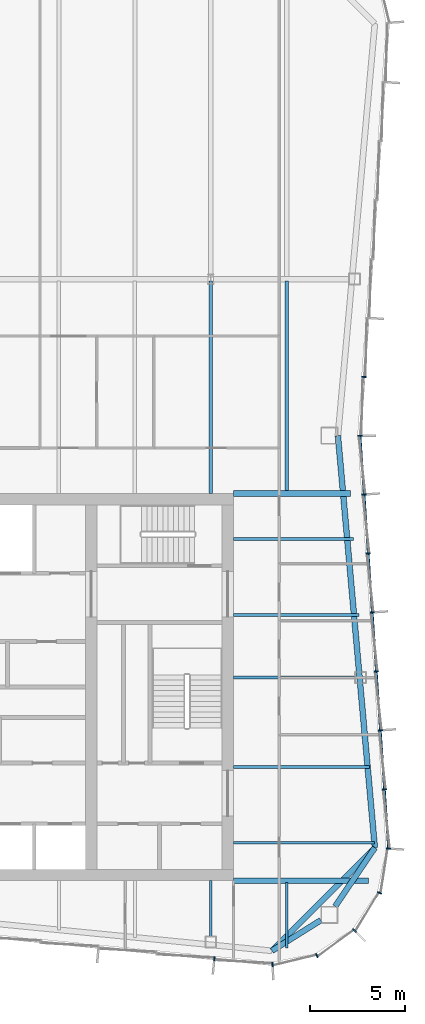
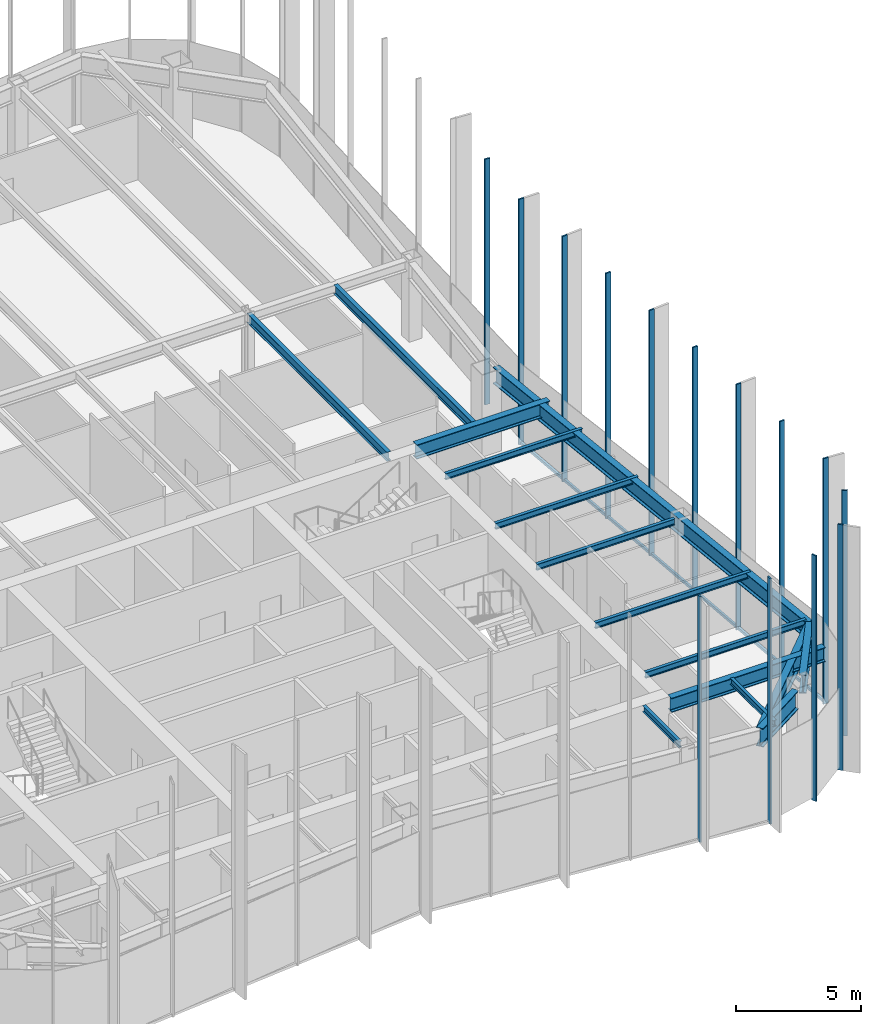
# One storey, part 5 of 13: 15 beams, 15 members, 3 elements without a shape of their own.
"""IFC4 building model written with IfcOpenShell, lengths in metres."""

import ifcopenshell
import ifcopenshell.guid

model = None  # the IFC model being written
_history = None  # IfcOwnerHistory: only IFC2X3 demands one
_inside = {}  # id of a spatial element -> (the spatial element, [elements in it])
_under = {}  # id of a project, library or spatial element -> (it, [spatial elements below it])
_declared = {}  # id of a project -> (the project, [libraries it declares])
_typed = {}  # id of a type object -> (the type object, [elements of that type])
_made_of = {}  # id of a material, layer set ... -> (it, [elements and type objects made of it])


def new_model(schema):
    """Start an empty IFC model of exactly this schema.

    Asked for "IFC4X3", IfcOpenShell would pick the latest addendum, in which some entities
    have other attributes; the version numbers below select the first issue.
    IFC2X3 requires an IfcOwnerHistory on every rooted entity: one is made here for all.
    """
    global model, _history
    if schema == "IFC4X3":
        model = ifcopenshell.file(schema_version=(4, 3, 0, 0))
    else:
        model = ifcopenshell.file(schema=schema)
    _inside.clear()
    _under.clear()
    _declared.clear()
    _typed.clear()
    _made_of.clear()
    _history = None
    if model.schema == "IFC2X3":
        org = make("IfcOrganization", Name="unknown")
        user = make(
            "IfcPersonAndOrganization",
            ThePerson=make("IfcPerson", FamilyName="unknown"),
            TheOrganization=org,
        )
        app = make(
            "IfcApplication",
            ApplicationDeveloper=org,
            Version="unknown",
            ApplicationFullName="unknown",
            ApplicationIdentifier="unknown",
        )
        _history = make(
            "IfcOwnerHistory",
            OwningUser=user,
            OwningApplication=app,
            ChangeAction="ADDED",
            CreationDate=0,
        )
    return model


def make(cls, **values):
    """One entity of the class cls with the attributes given. An attribute that is None is left unset."""
    return model.create_entity(
        cls, **{name: value for name, value in values.items() if value is not None}
    )


def rooted(cls, **values):
    """An entity with a GlobalId (a new one), such as an element, a storey or a relation."""
    return make(cls, GlobalId=ifcopenshell.guid.new(), OwnerHistory=_history, **values)


def si_unit(unit_type, name, prefix=None):
    """IfcSIUnit, for example si_unit("LENGTHUNIT", "METRE", prefix="MILLI")."""
    return make("IfcSIUnit", UnitType=unit_type, Prefix=prefix, Name=name)


def assignment(units):
    """IfcUnitAssignment: the units of a project."""
    return None if units is None else make("IfcUnitAssignment", Units=units)


def point(xyz):
    """IfcCartesianPoint."""
    return None if xyz is None else make("IfcCartesianPoint", Coordinates=xyz)


def direction(xyz):
    """IfcDirection."""
    return None if xyz is None else make("IfcDirection", DirectionRatios=xyz)


def frame(location, z_axis=None, x_axis=None):
    """IfcAxis2Placement3D, a coordinate frame: its origin and axes. An axis left out is left unset."""
    return make(
        "IfcAxis2Placement3D",
        Location=point(location),
        Axis=direction(z_axis),
        RefDirection=direction(x_axis),
    )


def frame_2d(location, x_axis=None):
    """IfcAxis2Placement2D, a coordinate frame in the plane: its origin and x axis."""
    return make(
        "IfcAxis2Placement2D", Location=point(location), RefDirection=direction(x_axis)
    )


def origin():
    """The frame at (0, 0, 0) with its axes left unset."""
    return frame((0.0, 0.0, 0.0))


def origin_2d():
    """The frame at (0, 0) in the plane with its x axis left unset."""
    return frame_2d((0.0, 0.0))


def place(relative_to, where):
    """IfcLocalPlacement: puts the frame where relative to a parent placement (None: the world)."""
    return make(
        "IfcLocalPlacement", PlacementRelTo=relative_to, RelativePlacement=where
    )


def context(
    kind, dimensions, precision=None, world=None, true_north=None, identifier=None
):
    """IfcGeometricRepresentationContext, for example the 3D "Model" context."""
    return make(
        "IfcGeometricRepresentationContext",
        ContextIdentifier=identifier,
        ContextType=kind,
        CoordinateSpaceDimension=dimensions,
        Precision=precision,
        WorldCoordinateSystem=world,
        TrueNorth=true_north,
    )


def subcontext(parent, identifier, kind, view, scale=None):
    """IfcGeometricRepresentationSubContext, for example "Body" below "Model"."""
    return make(
        "IfcGeometricRepresentationSubContext",
        ContextIdentifier=identifier,
        ContextType=kind,
        ParentContext=parent,
        TargetScale=scale,
        TargetView=view,
    )


def project(units=None, contexts=None):
    """IfcProject with its units and contexts."""
    return rooted(
        "IfcProject",
        Name="project",
        RepresentationContexts=contexts,
        UnitsInContext=assignment(units),
    )


def spatial(cls, under=None, at=None, **own):
    """A site, building, storey or space (cls), placed at a placement, below another one or the project."""
    s = rooted(cls, ObjectPlacement=at, **own)
    if under is not None:
        _under.setdefault(under.id(), (under, []))[1].append(s)
    return s


def profile(cls, at=None, kind="AREA", **sizes):
    """A parametric profile (cls). Its sizes go by their IFC names, for example OverallWidth=200.0."""
    return make(cls, ProfileType=kind, Position=at, **sizes)


def rectangle(**sizes):
    """IfcRectangleProfileDef."""
    return profile("IfcRectangleProfileDef", **sizes)


def i_section(**sizes):
    """IfcIShapeProfileDef."""
    return profile("IfcIShapeProfileDef", **sizes)


def extrude(swept, where, along, depth):
    """IfcExtrudedAreaSolid: the profile swept, set in the frame where, extruded along a direction by depth."""
    return make(
        "IfcExtrudedAreaSolid",
        SweptArea=swept,
        Position=where,
        ExtrudedDirection=direction(along),
        Depth=depth,
    )


def shape(context_of_items, identifier, shape_type, items):
    """IfcShapeRepresentation: the items that make up one representation, for example the "Body"."""
    return make(
        "IfcShapeRepresentation",
        ContextOfItems=context_of_items,
        RepresentationIdentifier=identifier,
        RepresentationType=shape_type,
        Items=items,
    )


def material(Name=None, Category=None):
    """IfcMaterial."""
    return make("IfcMaterial", Name=Name, Category=Category)


def material_profile(
    of_material, cross_section, Name=None, Category=None, Priority=None
):
    """IfcMaterialProfile: a cross section and its material."""
    return make(
        "IfcMaterialProfile",
        Name=Name,
        Material=of_material,
        Profile=cross_section,
        Priority=Priority,
        Category=Category,
    )


def profile_set(profiles, Name=None, composite=None):
    """IfcMaterialProfileSet."""
    return make(
        "IfcMaterialProfileSet",
        Name=Name,
        MaterialProfiles=profiles,
        CompositeProfile=composite,
    )


def made_of(thing, what):
    """Note that an element or type object is made of a material, layer set ...; save() writes the relation."""
    if what is not None:
        _made_of.setdefault(what.id(), (what, []))[1].append(thing)
    return thing


def type_object(cls, material=None, **own):
    """A type object (cls), such as IfcWallType, which elements share."""
    return made_of(rooted(cls, **own), material)


def element(
    cls,
    number,
    at=None,
    inside=None,
    cuts=None,
    type_object=None,
    material=None,
    context=None,
    identifier="Body",
    shape_type=None,
    held_by="IfcProductDefinitionShape",
    body=None,
    shapes=None,
    **own,
):
    """One element of the class cls, such as IfcWall. Its Tag is "e" and its number.

    at: its placement. inside: the storey or other place that contains it. cuts: it is an
    opening in that element (IfcRelVoidsElement). A single representation is given by context,
    identifier, shape_type and body (its items); several are given by shapes. held_by: the class
    of the entity that holds the representations. save() writes the other relations.
    """
    e = rooted(cls, Tag="e%d" % number, ObjectPlacement=at, **own)
    if body is not None:
        shapes = [shape(context, identifier, shape_type, body)]
    if shapes is not None:
        e.Representation = make(held_by, Representations=shapes)
    if inside is not None:
        _inside.setdefault(inside.id(), (inside, []))[1].append(e)
    if cuts is not None:
        rooted(
            "IfcRelVoidsElement", RelatingBuildingElement=cuts, RelatedOpeningElement=e
        )
    if type_object is not None:
        _typed.setdefault(type_object.id(), (type_object, []))[1].append(e)
    return made_of(e, material)


def aggregate(whole, parts):
    """IfcRelAggregates: a whole, such as a stair, and the parts it consists of."""
    return rooted("IfcRelAggregates", RelatingObject=whole, RelatedObjects=parts)


def save(model, path):
    """Write the relations noted so far, then the file.

    IfcRelAggregates (storeys below a building ...), IfcRelContainedInSpatialStructure (elements
    in a storey), IfcRelDefinesByType, IfcRelAssociatesMaterial and IfcRelDeclares: one each for
    every whole, place, type object, material and project.
    """
    for whole, parts in _under.values():
        aggregate(whole, parts)
    for where, things in _inside.values():
        rooted(
            "IfcRelContainedInSpatialStructure",
            RelatedElements=things,
            RelatingStructure=where,
        )
    for kind, things in _typed.values():
        rooted("IfcRelDefinesByType", RelatedObjects=things, RelatingType=kind)
    for what, things in _made_of.values():
        rooted("IfcRelAssociatesMaterial", RelatedObjects=things, RelatingMaterial=what)
    for by, libraries in _declared.values():
        rooted("IfcRelDeclares", RelatingContext=by, RelatedDefinitions=libraries)
    model.write(path)


model = new_model("IFC4")

# Units and contexts
model_context = context("Model", 3, precision=1e-05, world=origin(), true_north=direction((0.0, 1.0)))
body_context = subcontext(model_context, "Body", "Model", "MODEL_VIEW")
ifc_project = project(units=[si_unit("LENGTHUNIT", "METRE"), si_unit("AREAUNIT", "SQUARE_METRE"), si_unit("VOLUMEUNIT", "CUBIC_METRE"), si_unit("PLANEANGLEUNIT", "RADIAN"), si_unit("MASSUNIT", "GRAM", prefix="KILO")], contexts=[model_context])

# Site, building, storey
site_placement = place(None, origin())
site = spatial("IfcSite", under=ifc_project, at=site_placement, CompositionType="ELEMENT")
building_placement = place(site_placement, origin())
building = spatial("IfcBuilding", under=site, at=building_placement, Name="Verdant Reach Tower", CompositionType="ELEMENT")
storey_placement = place(building_placement, frame((0.0, 0.0, 294.0)))
storey = spatial("IfcBuildingStorey", under=building, at=storey_placement, Name="L67", CompositionType="ELEMENT", Elevation=294.0)

# Curtain wall, members
ifc_material_1 = material(Name="Anodised aluminium", Category="aluminium")
curtain_wall_type = type_object("IfcCurtainWallType", Name="EN-CW SYSTEM Z5", PredefinedType="NOTDEFINED", material=ifc_material_1)
curtain_wall_1_placement = place(storey_placement, origin())
curtain_wall_1 = element("IfcCurtainWall", 1, at=curtain_wall_1_placement, inside=storey, type_object=curtain_wall_type, Name="Curtain wall south-east corner, L67", PredefinedType="NOTDEFINED")
ifc_material_profile_1 = material_profile(ifc_material_1, rectangle(XDim=0.22998046875, YDim=0.070068359375, at=origin_2d()), Name="Mullion 70x230")
ifc_profile_set_1 = profile_set([ifc_material_profile_1], Name="Anodised aluminium")
member_type_1 = type_object("IfcMemberType", Name="EN-MULLION Z5", PredefinedType="MULLION", material=ifc_profile_set_1)
member_1_placement = place(storey_placement, frame((15.255615234375, 13.38525390625, -0.35009765625), z_axis=(0.0, 0.0, 1.0), x_axis=(0.049127596288, -0.998792510626, 0.0)))
member_1 = element("IfcMember", 2, at=member_1_placement, type_object=member_type_1, Name="Mullion south-east corner 1, L67", PredefinedType="MULLION", context=body_context, shape_type="SweptSolid", body=[
    extrude(rectangle(XDim=0.22998046875, YDim=0.070068359375, at=origin_2d()), origin(), (0.0, 0.0, 1.0), 12.0),
])
member_2_placement = place(storey_placement, frame((17.590087890625, 13.850341796875, -0.35009765625), z_axis=(0.0, 0.0, 1.0), x_axis=(0.382693853776, -0.923875215753, 0.0)))
member_2 = element("IfcMember", 3, at=member_2_placement, type_object=member_type_1, Name="Mullion south-east corner 2, L67", PredefinedType="MULLION", context=body_context, shape_type="SweptSolid", body=[
    extrude(rectangle(XDim=0.22998046875, YDim=0.070068359375, at=origin_2d()), origin(), (0.0, 0.0, 1.0), 12.0),
])
member_3_placement = place(storey_placement, frame((19.573974609375, 15.176025390625, -0.35009765625), z_axis=(0.0, 0.0, 1.0), x_axis=(0.707106781187, -0.707106781187, 0.0)))
member_3 = element("IfcMember", 4, at=member_3_placement, type_object=member_type_1, Name="Mullion south-east corner 3, L67", PredefinedType="MULLION", context=body_context, shape_type="SweptSolid", body=[
    extrude(rectangle(XDim=0.22998046875, YDim=0.070068359375, at=origin_2d()), origin(), (0.0, 0.0, 1.0), 12.0),
])
member_4_placement = place(storey_placement, frame((20.899658203125, 17.159912109375, -0.35009765625), z_axis=(0.0, 0.0, 1.0), x_axis=(0.923875215753, -0.382693853776, 0.0)))
member_4 = element("IfcMember", 5, at=member_4_placement, type_object=member_type_1, Name="Mullion south-east corner 4, L67", PredefinedType="MULLION", context=body_context, shape_type="SweptSolid", body=[
    extrude(rectangle(XDim=0.22998046875, YDim=0.070068359375, at=origin_2d()), origin(), (0.0, 0.0, 1.0), 12.0),
])
aggregate(curtain_wall_1, [member_1, member_2, member_3, member_4])

curtain_wall_2_placement = place(storey_placement, origin())
curtain_wall_2 = element("IfcCurtainWall", 6, at=curtain_wall_2_placement, inside=storey, type_object=curtain_wall_type, Name="Curtain wall east, L67", PredefinedType="NOTDEFINED")
member_5_placement = place(storey_placement, frame((21.36474609375, 19.49267578125, -0.35009765625), z_axis=(0.0, 0.0, 1.0), x_axis=(0.997969180898, -0.063698618332, 0.0)))
member_5 = element("IfcMember", 7, at=member_5_placement, type_object=member_type_1, Name="Mullion east face part 1 1, L67", PredefinedType="MULLION", context=body_context, shape_type="SweptSolid", body=[
    extrude(rectangle(XDim=0.22998046875, YDim=0.070068359375, at=origin_2d()), origin(), (0.0, 0.0, 1.0), 12.0),
])
member_6_placement = place(storey_placement, frame((21.150390625, 22.614990234375, -0.35009765625), z_axis=(0.0, 0.0, 1.0), x_axis=(0.997630328423, 0.068802091615, 0.0)))
member_6 = element("IfcMember", 8, at=member_6_placement, type_object=member_type_1, Name="Mullion east face part 1 2, L67", PredefinedType="MULLION", context=body_context, shape_type="SweptSolid", body=[
    extrude(rectangle(XDim=0.22998046875, YDim=0.070068359375, at=origin_2d()), origin(), (0.0, 0.0, 1.0), 12.0),
])
member_7_placement = place(storey_placement, frame((20.93603515625, 25.72216796875, -0.35009765625), z_axis=(0.0, 0.0, 1.0), x_axis=(0.997630328423, 0.068802091615, 0.0)))
member_7 = element("IfcMember", 9, at=member_7_placement, type_object=member_type_1, Name="Mullion east face part 1 3, L67", PredefinedType="MULLION", context=body_context, shape_type="SweptSolid", body=[
    extrude(rectangle(XDim=0.22998046875, YDim=0.070068359375, at=origin_2d()), origin(), (0.0, 0.0, 1.0), 12.0),
])
member_8_placement = place(storey_placement, frame((20.721923828125, 28.829345703125, -0.35009765625), z_axis=(0.0, 0.0, 1.0), x_axis=(0.997630328423, 0.068802091615, 0.0)))
member_8 = element("IfcMember", 10, at=member_8_placement, type_object=member_type_1, Name="Mullion east face part 1 4, L67", PredefinedType="MULLION", context=body_context, shape_type="SweptSolid", body=[
    extrude(rectangle(XDim=0.22998046875, YDim=0.070068359375, at=origin_2d()), origin(), (0.0, 0.0, 1.0), 12.0),
])
member_9_placement = place(storey_placement, frame((20.507568359375, 31.9365234375, -0.35009765625), z_axis=(0.0, 0.0, 1.0), x_axis=(0.997630328423, 0.068802091615, 0.0)))
member_9 = element("IfcMember", 11, at=member_9_placement, type_object=member_type_1, Name="Mullion east face part 1 5, L67", PredefinedType="MULLION", context=body_context, shape_type="SweptSolid", body=[
    extrude(rectangle(XDim=0.22998046875, YDim=0.070068359375, at=origin_2d()), origin(), (0.0, 0.0, 1.0), 12.0),
])
member_10_placement = place(storey_placement, frame((20.293212890625, 35.043701171875, -0.35009765625), z_axis=(0.0, 0.0, 1.0), x_axis=(0.997630328423, 0.068802091615, 0.0)))
member_10 = element("IfcMember", 12, at=member_10_placement, type_object=member_type_1, Name="Mullion east face part 1 6, L67", PredefinedType="MULLION", context=body_context, shape_type="SweptSolid", body=[
    extrude(rectangle(XDim=0.22998046875, YDim=0.070068359375, at=origin_2d()), origin(), (0.0, 0.0, 1.0), 12.0),
])
member_11_placement = place(storey_placement, frame((20.0791015625, 38.15087890625, -0.35009765625), z_axis=(0.0, 0.0, 1.0), x_axis=(0.997630328423, 0.068802091615, 0.0)))
member_11 = element("IfcMember", 13, at=member_11_placement, type_object=member_type_1, Name="Mullion east face part 1 7, L67", PredefinedType="MULLION", context=body_context, shape_type="SweptSolid", body=[
    extrude(rectangle(XDim=0.22998046875, YDim=0.070068359375, at=origin_2d()), origin(), (0.0, 0.0, 1.0), 12.0),
])
member_12_placement = place(storey_placement, frame((19.864990234375, 41.25, -0.35009765625), z_axis=(0.0, 0.0, 1.0), x_axis=(1.0, 0.0, 0.0)))
member_12 = element("IfcMember", 14, at=member_12_placement, type_object=member_type_1, Name="Mullion east face part 2 1, L67", PredefinedType="MULLION", context=body_context, shape_type="SweptSolid", body=[
    extrude(rectangle(XDim=0.22998046875, YDim=0.070068359375, at=origin_2d()), origin(), (0.0, 0.0, 1.0), 12.0),
])
member_13_placement = place(storey_placement, frame((20.0791015625, 44.34912109375, -0.35009765625), z_axis=(0.0, 0.0, 1.0), x_axis=(0.997630328423, -0.068802091615, 0.0)))
member_13 = element("IfcMember", 15, at=member_13_placement, type_object=member_type_1, Name="Mullion east face part 2 2, L67", PredefinedType="MULLION", context=body_context, shape_type="SweptSolid", body=[
    extrude(rectangle(XDim=0.22998046875, YDim=0.070068359375, at=origin_2d()), origin(), (0.0, 0.0, 1.0), 12.0),
])

# Curtain wall, member
curtain_wall_3_placement = place(storey_placement, origin())
curtain_wall_3 = element("IfcCurtainWall", 16, at=curtain_wall_3_placement, inside=storey, type_object=curtain_wall_type, Name="Curtain wall south, L67", PredefinedType="NOTDEFINED")
member_14_placement = place(storey_placement, frame((12.188720703125, 13.685546875, -0.35009765625), z_axis=(0.0, 0.0, 1.0), x_axis=(-0.09788826992, -0.995197410875, 0.0)))
member_14 = element("IfcMember", 17, at=member_14_placement, type_object=member_type_1, Name="Mullion south face part 2 5, L67", PredefinedType="MULLION", context=body_context, shape_type="SweptSolid", body=[
    extrude(rectangle(XDim=0.22998046875, YDim=0.070068359375, at=origin_2d()), origin(), (0.0, 0.0, 1.0), 12.0),
])
aggregate(curtain_wall_3, [member_14])

# Member
ifc_material_profile_2 = material_profile(ifc_material_1, rectangle(XDim=0.10009765625, YDim=0.1298828125, at=origin_2d()), Name="Transom 130x100")
ifc_profile_set_2 = profile_set([ifc_material_profile_2], Name="Anodised aluminium")
member_type_2 = type_object("IfcMemberType", Name="EN-TRANSOM Z5", PredefinedType="USERDEFINED", material=ifc_profile_set_2)
member_15_placement = place(storey_placement, frame((21.3623046875, 19.527587890625, -0.284912109375), z_axis=(-0.068764705107, 0.997632906099, 0.0), x_axis=(-0.997632906099, -0.068764705107, 0.0)))
member_15 = element("IfcMember", 18, at=member_15_placement, type_object=member_type_2, Name="Transom east face part 1 1.1, L67", ObjectType="TRANSOM", PredefinedType="USERDEFINED", context=body_context, shape_type="SweptSolid", body=[
    extrude(rectangle(XDim=0.10009765625, YDim=0.1298828125, at=origin_2d()), origin(), (0.0, 0.0, 1.0), 21.739013671875),
])

aggregate(curtain_wall_2, [member_5, member_6, member_7, member_8, member_9, member_10, member_11, member_15, member_12, member_13])

# Beams
ifc_material_2 = material(Name="Steel S355", Category="steel")
ifc_material_profile_3 = material_profile(ifc_material_2, i_section(OverallWidth=0.300048828125, OverallDepth=0.699951171875, WebThickness=0.01708984375, FlangeThickness=0.031982421875, FilletRadius=0.027099609375, at=origin_2d()), Name="HEB 700")
ifc_profile_set_3 = profile_set([ifc_material_profile_3], Name="Steel S355")
beam_type_1 = type_object("IfcBeamType", Name="ST-BEAM-HEB700", PredefinedType="BEAM", material=ifc_profile_set_3)
beam_1_placement = place(storey_placement, frame((13.199951171875, 38.199951171875, 3.52001953125), z_axis=(1.0, 0.0, 0.0), x_axis=(0.0, 1.0, 0.0)))
element("IfcBeam", 19, at=beam_1_placement, inside=storey, type_object=beam_type_1, Name="Trimmer beam, L67", PredefinedType="BEAM", context=body_context, shape_type="SweptSolid", body=[
    extrude(i_section(OverallWidth=0.300048828125, OverallDepth=0.699951171875, WebThickness=0.01708984375, FlangeThickness=0.031982421875, FilletRadius=0.027099609375, at=origin_2d()), origin(), (0.0, 0.0, 1.0), 6.158935546875),
])
beam_2_placement = place(storey_placement, frame((13.199951171875, 17.800048828125, 3.52001953125), z_axis=(1.0, 0.0, 0.0), x_axis=(0.0, 1.0, 0.0)))
element("IfcBeam", 20, at=beam_2_placement, inside=storey, type_object=beam_type_1, Name="Trimmer beam, L67", PredefinedType="BEAM", context=body_context, shape_type="SweptSolid", body=[
    extrude(i_section(OverallWidth=0.300048828125, OverallDepth=0.699951171875, WebThickness=0.01708984375, FlangeThickness=0.031982421875, FilletRadius=0.027099609375, at=origin_2d()), origin(), (0.0, 0.0, 1.0), 7.10009765625),
])
ifc_material_profile_4 = material_profile(ifc_material_2, i_section(OverallWidth=0.302001953125, OverallDepth=0.909912109375, WebThickness=0.02099609375, FlangeThickness=0.0400390625, FilletRadius=0.030029296875, at=origin_2d()), Name="HEM 900")
ifc_profile_set_4 = profile_set([ifc_material_profile_4], Name="Steel S355")
beam_type_2 = type_object("IfcBeamType", Name="ST-BEAM-HEM900", PredefinedType="BEAM", material=ifc_profile_set_4)
beam_3_placement = place(storey_placement, frame((17.800048828125, 15.71875, 3.4150390625), z_axis=(-0.847903624467, -0.530150397166, 0.0), x_axis=(0.530150397166, -0.847903624467, 0.0)))
element("IfcBeam", 21, at=beam_3_placement, inside=storey, type_object=beam_type_2, Name="Column stub beam, L67", PredefinedType="BEAM", context=body_context, shape_type="SweptSolid", body=[
    extrude(i_section(OverallWidth=0.302001953125, OverallDepth=0.909912109375, WebThickness=0.02099609375, FlangeThickness=0.0400390625, FilletRadius=0.030029296875, at=origin_2d()), origin(), (0.0, 0.0, 1.0), 3.042724609375),
])
beam_4_placement = place(storey_placement, frame((18.5546875, 16.449951171875, 3.4150390625), z_axis=(0.560667226688, 0.828041219335, 0.0), x_axis=(-0.828041219335, 0.560667226688, 0.0)))
element("IfcBeam", 22, at=beam_4_placement, inside=storey, type_object=beam_type_2, Name="Column stub beam, L67", PredefinedType="BEAM", context=body_context, shape_type="SweptSolid", body=[
    extrude(i_section(OverallWidth=0.302001953125, OverallDepth=0.909912109375, WebThickness=0.02099609375, FlangeThickness=0.0400390625, FilletRadius=0.030029296875, at=origin_2d()), origin(), (0.0, 0.0, 1.0), 3.72998046875),
])
ifc_material_profile_5 = material_profile(ifc_material_2, i_section(OverallWidth=0.14990234375, OverallDepth=0.300048828125, WebThickness=0.007080078125, FlangeThickness=0.0107421875, FilletRadius=0.014892578125, at=origin_2d()), Name="IPE 300")
ifc_profile_set_5 = profile_set([ifc_material_profile_5], Name="Steel S355")
beam_type_3 = type_object("IfcBeamType", Name="ST-JOIST-IPE300", PredefinedType="JOIST", material=ifc_profile_set_5)
beam_5_placement = place(storey_placement, frame((12.0, 17.800048828125, 3.719970703125), z_axis=(0.0, -1.0, 0.0), x_axis=(1.0, 0.0, 0.0)))
element("IfcBeam", 23, at=beam_5_placement, inside=storey, type_object=beam_type_3, Name="Floor joist, L67", PredefinedType="JOIST", context=body_context, shape_type="SweptSolid", body=[
    extrude(i_section(OverallWidth=0.14990234375, OverallDepth=0.300048828125, WebThickness=0.007080078125, FlangeThickness=0.0107421875, FilletRadius=0.014892578125, at=origin_2d()), origin(), (0.0, 0.0, 1.0), 2.930419921875),
])
beam_6_placement = place(storey_placement, frame((16.0, 17.699951171875, 3.719970703125), z_axis=(0.0, -1.0, 0.0), x_axis=(1.0, 0.0, 0.0)))
element("IfcBeam", 24, at=beam_6_placement, inside=storey, type_object=beam_type_3, Name="Floor joist, L67", PredefinedType="JOIST", context=body_context, shape_type="SweptSolid", body=[
    extrude(i_section(OverallWidth=0.14990234375, OverallDepth=0.300048828125, WebThickness=0.007080078125, FlangeThickness=0.0107421875, FilletRadius=0.014892578125, at=origin_2d()), origin(), (0.0, 0.0, 1.0), 3.43896484375),
])
beam_7_placement = place(storey_placement, frame((13.199951171875, 19.800048828125, 3.719970703125), z_axis=(1.0, 0.0, 0.0), x_axis=(0.0, 1.0, 0.0)))
element("IfcBeam", 25, at=beam_7_placement, inside=storey, type_object=beam_type_3, Name="Floor joist, L67", PredefinedType="JOIST", context=body_context, shape_type="SweptSolid", body=[
    extrude(i_section(OverallWidth=0.14990234375, OverallDepth=0.300048828125, WebThickness=0.007080078125, FlangeThickness=0.0107421875, FilletRadius=0.014892578125, at=origin_2d()), origin(), (0.0, 0.0, 1.0), 7.427978515625),
])
beam_8_placement = place(storey_placement, frame((13.199951171875, 23.800048828125, 3.719970703125), z_axis=(1.0, 0.0, 0.0), x_axis=(0.0, 1.0, 0.0)))
element("IfcBeam", 26, at=beam_8_placement, inside=storey, type_object=beam_type_3, Name="Floor joist, L67", PredefinedType="JOIST", context=body_context, shape_type="SweptSolid", body=[
    extrude(i_section(OverallWidth=0.14990234375, OverallDepth=0.300048828125, WebThickness=0.007080078125, FlangeThickness=0.0107421875, FilletRadius=0.014892578125, at=origin_2d()), origin(), (0.0, 0.0, 1.0), 7.152099609375),
])
beam_9_placement = place(storey_placement, frame((13.199951171875, 28.5, 3.719970703125), z_axis=(1.0, 0.0, 0.0), x_axis=(0.0, 1.0, 0.0)))
element("IfcBeam", 27, at=beam_9_placement, inside=storey, type_object=beam_type_3, Name="Floor joist, L67", PredefinedType="JOIST", context=body_context, shape_type="SweptSolid", body=[
    extrude(i_section(OverallWidth=0.14990234375, OverallDepth=0.300048828125, WebThickness=0.007080078125, FlangeThickness=0.0107421875, FilletRadius=0.014892578125, at=origin_2d()), origin(), (0.0, 0.0, 1.0), 6.37939453125),
])
beam_10_placement = place(storey_placement, frame((13.199951171875, 31.800048828125, 3.719970703125), z_axis=(1.0, 0.0, 0.0), x_axis=(0.0, 1.0, 0.0)))
element("IfcBeam", 28, at=beam_10_placement, inside=storey, type_object=beam_type_3, Name="Floor joist, L67", PredefinedType="JOIST", context=body_context, shape_type="SweptSolid", body=[
    extrude(i_section(OverallWidth=0.14990234375, OverallDepth=0.300048828125, WebThickness=0.007080078125, FlangeThickness=0.0107421875, FilletRadius=0.014892578125, at=origin_2d()), origin(), (0.0, 0.0, 1.0), 6.600341796875),
])
beam_11_placement = place(storey_placement, frame((13.199951171875, 35.800048828125, 3.719970703125), z_axis=(1.0, 0.0, 0.0), x_axis=(0.0, 1.0, 0.0)))
element("IfcBeam", 29, at=beam_11_placement, inside=storey, type_object=beam_type_3, Name="Floor joist, L67", PredefinedType="JOIST", context=body_context, shape_type="SweptSolid", body=[
    extrude(i_section(OverallWidth=0.14990234375, OverallDepth=0.300048828125, WebThickness=0.007080078125, FlangeThickness=0.0107421875, FilletRadius=0.014892578125, at=origin_2d()), origin(), (0.0, 0.0, 1.0), 6.324462890625),
])
ifc_material_profile_6 = material_profile(ifc_material_2, i_section(OverallWidth=0.18994140625, OverallDepth=0.449951171875, WebThickness=0.009521484375, FlangeThickness=0.0146484375, FilletRadius=0.02099609375, at=origin_2d()), Name="IPE 450")
ifc_profile_set_6 = profile_set([ifc_material_profile_6], Name="Steel S355")
beam_type_4 = type_object("IfcBeamType", Name="ST-JOIST-IPE450", PredefinedType="JOIST", material=ifc_profile_set_6)
beam_12_placement = place(storey_placement, frame((12.0, 38.199951171875, 3.64501953125), z_axis=(0.0, 1.0, 0.0), x_axis=(-1.0, 0.0, 0.0)))
element("IfcBeam", 30, at=beam_12_placement, inside=storey, type_object=beam_type_4, Name="Floor joist, L67", PredefinedType="JOIST", context=body_context, shape_type="SweptSolid", body=[
    extrude(i_section(OverallWidth=0.18994140625, OverallDepth=0.449951171875, WebThickness=0.009521484375, FlangeThickness=0.0146484375, FilletRadius=0.02099609375, at=origin_2d()), origin(), (0.0, 0.0, 1.0), 11.199951171875),
])
beam_13_placement = place(storey_placement, frame((16.0, 38.300048828125, 3.64501953125), z_axis=(0.0, 1.0, 0.0), x_axis=(-1.0, 0.0, 0.0)))
element("IfcBeam", 31, at=beam_13_placement, inside=storey, type_object=beam_type_4, Name="Floor joist, L67", PredefinedType="JOIST", context=body_context, shape_type="SweptSolid", body=[
    extrude(i_section(OverallWidth=0.18994140625, OverallDepth=0.449951171875, WebThickness=0.009521484375, FlangeThickness=0.0146484375, FilletRadius=0.02099609375, at=origin_2d()), origin(), (0.0, 0.0, 1.0), 11.099853515625),
])
ifc_material_profile_7 = material_profile(ifc_material_2, i_section(OverallWidth=0.300048828125, OverallDepth=0.800048828125, WebThickness=0.017578125, FlangeThickness=0.032958984375, FilletRadius=0.030029296875, at=origin_2d()), Name="HEB 800")
ifc_profile_set_7 = profile_set([ifc_material_profile_7], Name="Steel S355")
beam_type_5 = type_object("IfcBeamType", Name="ST-SPANDREL-HEB800", PredefinedType="SPANDREL", material=ifc_profile_set_7)
beam_14_placement = place(storey_placement, frame((18.699951171875, 41.25, 3.469970703125), z_axis=(0.089274399498, -0.996007069048, 0.0), x_axis=(0.996007069048, 0.089274399498, 0.0)))
element("IfcBeam", 32, at=beam_14_placement, inside=storey, type_object=beam_type_5, Name="Edge beam, L67", PredefinedType="SPANDREL", context=body_context, shape_type="SweptSolid", body=[
    extrude(i_section(OverallWidth=0.300048828125, OverallDepth=0.800048828125, WebThickness=0.017578125, FlangeThickness=0.032958984375, FilletRadius=0.030029296875, at=origin_2d()), origin(), (0.0, 0.0, 1.0), 21.798583984375),
])
ifc_material_profile_8 = material_profile(ifc_material_2, i_section(OverallWidth=0.302001953125, OverallDepth=0.909912109375, WebThickness=0.02099609375, FlangeThickness=0.0400390625, FilletRadius=0.030029296875, at=origin_2d()), Name="HEM 900")
ifc_profile_set_8 = profile_set([ifc_material_profile_8], Name="Steel S355")
beam_type_6 = type_object("IfcBeamType", Name="ST-SPANDREL-HEM900", PredefinedType="SPANDREL", material=ifc_profile_set_8)
beam_15_placement = place(storey_placement, frame((20.64599609375, 19.53857421875, 3.4150390625), z_axis=(-0.706645581521, -0.707567680237, 0.0), x_axis=(0.707567680237, -0.706645581521, 0.0)))
element("IfcBeam", 33, at=beam_15_placement, inside=storey, type_object=beam_type_6, Name="Edge beam, L67", PredefinedType="SPANDREL", context=body_context, shape_type="SweptSolid", body=[
    extrude(i_section(OverallWidth=0.302001953125, OverallDepth=0.909912109375, WebThickness=0.02099609375, FlangeThickness=0.0400390625, FilletRadius=0.030029296875, at=origin_2d()), origin(), (0.0, 0.0, 1.0), 7.67822265625),
])

save(model, "model.ifc")
